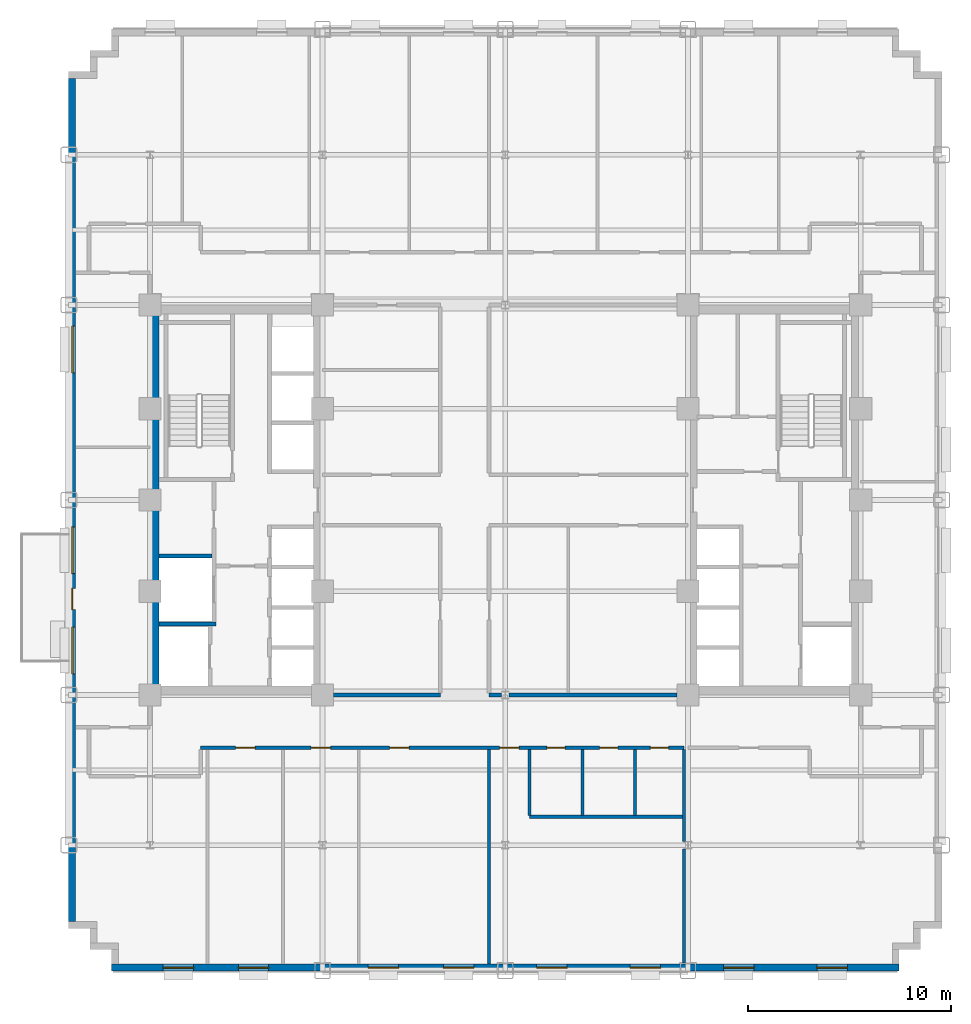
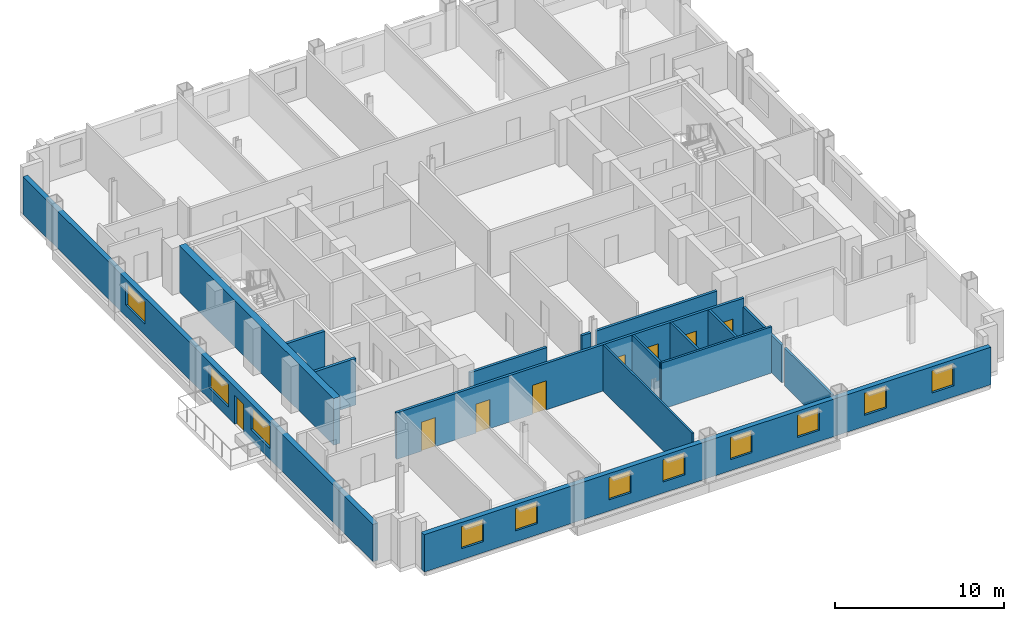
# One storey, part 6 of 14: 16 walls, 11 windows, 8 doors, 19 openings.
"""IFC4 building model written with IfcOpenShell, lengths in metres."""

from ifc_helpers import new_model, si_unit, direction, frame, frame_2d, origin, place, context, subcontext, project, spatial, rectangle, extrude, source, transform, mapped, material, layer, layer_set, type_object, type_shapes, element, fill, save


model = new_model("IFC4")

# Units and contexts
model_context = context("Model", 3, precision=1e-05, world=origin(), true_north=direction((0.0, 1.0)))
body_context = subcontext(model_context, "Body", "Model", "MODEL_VIEW")
ifc_project = project(units=[si_unit("LENGTHUNIT", "METRE"), si_unit("AREAUNIT", "SQUARE_METRE"), si_unit("VOLUMEUNIT", "CUBIC_METRE"), si_unit("PLANEANGLEUNIT", "RADIAN"), si_unit("MASSUNIT", "GRAM", prefix="KILO")], contexts=[model_context])

# Site, building, storey
site_placement = place(None, origin())
site = spatial("IfcSite", under=ifc_project, at=site_placement, CompositionType="ELEMENT")
building_placement = place(site_placement, origin())
building = spatial("IfcBuilding", under=site, at=building_placement, Name="Nuvemarco Arch Tower", CompositionType="ELEMENT")
storey_placement = place(building_placement, frame((0.0, 0.0, 64.10009765625)))
storey = spatial("IfcBuildingStorey", under=building, at=storey_placement, Name="L16", CompositionType="ELEMENT", Elevation=64.10009765625)

# Wall, openings, windows
ifc_material_1 = material(Name="Precast concrete C45/55", Category="concrete")
ifc_layer_1 = layer(ifc_material_1, 0.340087890625, Name="EW-LOW-340")
ifc_layer_set_1 = layer_set([ifc_layer_1], Name="Precast concrete C45/55")
wall_type_1 = type_object("IfcWallType", Name="EW-LOW-340", PredefinedType="STANDARD", material=ifc_layer_set_1)
wall_1_placement = place(storey_placement, frame((-19.39990234375, -23.030029296875, 0.0), z_axis=(0.0, 0.0, 1.0), x_axis=(1.0, 0.0, 0.0)))
wall_1 = element("IfcWall", 1, at=wall_1_placement, inside=storey, type_object=wall_type_1, Name="L16 exterior precast facade wall 1", PredefinedType="STANDARD", context=body_context, shape_type="SweptSolid", body=[
    extrude(rectangle(XDim=38.7998046875, YDim=0.340087890625, at=frame_2d((19.39990234375, 0.0))), origin(), (0.0, 0.0, 1.0), 2.704833984375),
])
opening_1_placement = place(wall_1_placement, frame((2.550048828125, 0.0, 0.800048828125)))
opening_1 = element("IfcOpeningElement", 2, at=opening_1_placement, cuts=wall_1, Name="Opening WN-11", PredefinedType="OPENING", context=body_context, shape_type="SweptSolid", body=[
    extrude(rectangle(XDim=1.5, YDim=1.60009765625, at=frame_2d((0.75, 0.800048828125))), frame((0.0, 0.179931640625, 0.0), z_axis=(0.0, -1.0, 0.0), x_axis=(1.0, 0.0, 0.0)), (0.0, 0.0, 1.0), 0.360107421875),
])
opening_2_placement = place(wall_1_placement, frame((6.25, 0.0, 0.800048828125)))
opening_2 = element("IfcOpeningElement", 3, at=opening_2_placement, cuts=wall_1, Name="Opening WN-11", PredefinedType="OPENING", context=body_context, shape_type="SweptSolid", body=[
    extrude(rectangle(XDim=1.5, YDim=1.60009765625, at=frame_2d((0.75, 0.800048828125))), frame((0.0, 0.179931640625, 0.0), z_axis=(0.0, -1.0, 0.0), x_axis=(1.0, 0.0, 0.0)), (0.0, 0.0, 1.0), 0.360107421875),
])
opening_3_placement = place(wall_1_placement, frame((12.64990234375, 0.0, 0.800048828125)))
opening_3 = element("IfcOpeningElement", 4, at=opening_3_placement, cuts=wall_1, Name="Opening WN-11", PredefinedType="OPENING", context=body_context, shape_type="SweptSolid", body=[
    extrude(rectangle(XDim=1.5, YDim=1.60009765625, at=frame_2d((0.75, 0.800048828125))), frame((0.0, 0.179931640625, 0.0), z_axis=(0.0, -1.0, 0.0), x_axis=(1.0, 0.0, 0.0)), (0.0, 0.0, 1.0), 0.360107421875),
])
opening_4_placement = place(wall_1_placement, frame((16.35009765625, 0.0, 0.800048828125)))
opening_4 = element("IfcOpeningElement", 5, at=opening_4_placement, cuts=wall_1, Name="Opening WN-11", PredefinedType="OPENING", context=body_context, shape_type="SweptSolid", body=[
    extrude(rectangle(XDim=1.5, YDim=1.60009765625, at=frame_2d((0.75, 0.800048828125))), frame((0.0, 0.179931640625, 0.0), z_axis=(0.0, -1.0, 0.0), x_axis=(1.0, 0.0, 0.0)), (0.0, 0.0, 1.0), 0.360107421875),
])
opening_5_placement = place(wall_1_placement, frame((20.949951171875, 0.0, 0.800048828125)))
opening_5 = element("IfcOpeningElement", 6, at=opening_5_placement, cuts=wall_1, Name="Opening WN-11", PredefinedType="OPENING", context=body_context, shape_type="SweptSolid", body=[
    extrude(rectangle(XDim=1.5, YDim=1.60009765625, at=frame_2d((0.75, 0.800048828125))), frame((0.0, 0.179931640625, 0.0), z_axis=(0.0, -1.0, 0.0), x_axis=(1.0, 0.0, 0.0)), (0.0, 0.0, 1.0), 0.360107421875),
])
opening_6_placement = place(wall_1_placement, frame((25.550048828125, 0.0, 0.800048828125)))
opening_6 = element("IfcOpeningElement", 7, at=opening_6_placement, cuts=wall_1, Name="Opening WN-11", PredefinedType="OPENING", context=body_context, shape_type="SweptSolid", body=[
    extrude(rectangle(XDim=1.5, YDim=1.60009765625, at=frame_2d((0.75, 0.800048828125))), frame((0.0, 0.179931640625, 0.0), z_axis=(0.0, -1.0, 0.0), x_axis=(1.0, 0.0, 0.0)), (0.0, 0.0, 1.0), 0.360107421875),
])
opening_7_placement = place(wall_1_placement, frame((30.14990234375, 0.0, 0.800048828125)))
opening_7 = element("IfcOpeningElement", 8, at=opening_7_placement, cuts=wall_1, Name="Opening WN-11", PredefinedType="OPENING", context=body_context, shape_type="SweptSolid", body=[
    extrude(rectangle(XDim=1.5, YDim=1.60009765625, at=frame_2d((0.75, 0.800048828125))), frame((0.0, 0.179931640625, 0.0), z_axis=(0.0, -1.0, 0.0), x_axis=(1.0, 0.0, 0.0)), (0.0, 0.0, 1.0), 0.360107421875),
])
opening_8_placement = place(wall_1_placement, frame((34.75, 0.0, 0.800048828125)))
opening_8 = element("IfcOpeningElement", 9, at=opening_8_placement, cuts=wall_1, Name="Opening WN-11", PredefinedType="OPENING", context=body_context, shape_type="SweptSolid", body=[
    extrude(rectangle(XDim=1.5, YDim=1.60009765625, at=frame_2d((0.75, 0.800048828125))), frame((0.0, 0.179931640625, 0.0), z_axis=(0.0, -1.0, 0.0), x_axis=(1.0, 0.0, 0.0)), (0.0, 0.0, 1.0), 0.360107421875),
])
ifc_material_2 = material(Name="Insulated solar-control glass", Category="glass")
window_type_1 = type_object("IfcWindowType", Name="WN-STEP-1500x1850", PartitioningType="SINGLE_PANEL", PredefinedType="WINDOW", material=ifc_material_2)
shared_shape_1 = source(origin(), body_context, "Body", "SweptSolid", [
    extrude(rectangle(XDim=1.5, YDim=1.60009765625, at=frame_2d((0.75, 0.800048828125))), frame((0.0, 0.030029296875, 0.0), z_axis=(0.0, -1.0, 0.0), x_axis=(1.0, 0.0, 0.0)), (0.0, 0.0, 1.0), 0.06005859375),
])
type_shapes(window_type_1, [shared_shape_1])
window_1_placement = place(opening_1_placement, origin())
window_1 = element("IfcWindow", 10, at=window_1_placement, inside=storey, type_object=window_type_1, Name="L16 punched facade window 1", OverallHeight=1.60009765625, OverallWidth=1.5, PartitioningType="SINGLE_PANEL", PredefinedType="WINDOW", context=body_context, shape_type="MappedRepresentation", body=[
    mapped(shared_shape_1, transform((0.0, 0.0, 0.0), scale=1.0)),
])
fill(opening_1, window_1)
window_2_placement = place(opening_2_placement, origin())
window_2 = element("IfcWindow", 11, at=window_2_placement, inside=storey, type_object=window_type_1, Name="L16 punched facade window 2", OverallHeight=1.60009765625, OverallWidth=1.5, PartitioningType="SINGLE_PANEL", PredefinedType="WINDOW", context=body_context, shape_type="MappedRepresentation", body=[
    mapped(shared_shape_1, transform((0.0, 0.0, 0.0), scale=1.0)),
])
fill(opening_2, window_2)
window_3_placement = place(opening_3_placement, origin())
window_3 = element("IfcWindow", 12, at=window_3_placement, inside=storey, type_object=window_type_1, Name="L16 punched facade window 3", OverallHeight=1.60009765625, OverallWidth=1.5, PartitioningType="SINGLE_PANEL", PredefinedType="WINDOW", context=body_context, shape_type="MappedRepresentation", body=[
    mapped(shared_shape_1, transform((0.0, 0.0, 0.0), scale=1.0)),
])
fill(opening_3, window_3)
window_4_placement = place(opening_4_placement, origin())
window_4 = element("IfcWindow", 13, at=window_4_placement, inside=storey, type_object=window_type_1, Name="L16 punched facade window 4", OverallHeight=1.60009765625, OverallWidth=1.5, PartitioningType="SINGLE_PANEL", PredefinedType="WINDOW", context=body_context, shape_type="MappedRepresentation", body=[
    mapped(shared_shape_1, transform((0.0, 0.0, 0.0), scale=1.0)),
])
fill(opening_4, window_4)
window_5_placement = place(opening_5_placement, origin())
window_5 = element("IfcWindow", 14, at=window_5_placement, inside=storey, type_object=window_type_1, Name="L16 punched facade window 5", OverallHeight=1.60009765625, OverallWidth=1.5, PartitioningType="SINGLE_PANEL", PredefinedType="WINDOW", context=body_context, shape_type="MappedRepresentation", body=[
    mapped(shared_shape_1, transform((0.0, 0.0, 0.0), scale=1.0)),
])
fill(opening_5, window_5)
window_6_placement = place(opening_6_placement, origin())
window_6 = element("IfcWindow", 15, at=window_6_placement, inside=storey, type_object=window_type_1, Name="L16 punched facade window 6", OverallHeight=1.60009765625, OverallWidth=1.5, PartitioningType="SINGLE_PANEL", PredefinedType="WINDOW", context=body_context, shape_type="MappedRepresentation", body=[
    mapped(shared_shape_1, transform((0.0, 0.0, 0.0), scale=1.0)),
])
fill(opening_6, window_6)
window_7_placement = place(opening_7_placement, origin())
window_7 = element("IfcWindow", 16, at=window_7_placement, inside=storey, type_object=window_type_1, Name="L16 punched facade window 7", OverallHeight=1.60009765625, OverallWidth=1.5, PartitioningType="SINGLE_PANEL", PredefinedType="WINDOW", context=body_context, shape_type="MappedRepresentation", body=[
    mapped(shared_shape_1, transform((0.0, 0.0, 0.0), scale=1.0)),
])
fill(opening_7, window_7)
window_8_placement = place(opening_8_placement, origin())
window_8 = element("IfcWindow", 17, at=window_8_placement, inside=storey, type_object=window_type_1, Name="L16 punched facade window 8", OverallHeight=1.60009765625, OverallWidth=1.5, PartitioningType="SINGLE_PANEL", PredefinedType="WINDOW", context=body_context, shape_type="MappedRepresentation", body=[
    mapped(shared_shape_1, transform((0.0, 0.0, 0.0), scale=1.0)),
])
fill(opening_8, window_8)

# Wall, openings, door, windows
wall_2_placement = place(storey_placement, frame((-21.330078125, -20.763916015625, 0.0), z_axis=(0.0, 0.0, 1.0), x_axis=(0.0, 1.0, 0.0)))
wall_2 = element("IfcWall", 18, at=wall_2_placement, inside=storey, type_object=wall_type_1, Name="L16 exterior precast facade wall 16", PredefinedType="STANDARD", context=body_context, shape_type="SweptSolid", body=[
    extrude(rectangle(XDim=41.52783203125, YDim=0.340087890625, at=frame_2d((20.763916015625, 0.0))), origin(), (0.0, 0.0, 1.0), 2.704833984375),
])
opening_9_placement = place(wall_2_placement, frame((15.364013671875, 0.0, 0.0)))
opening_9 = element("IfcOpeningElement", 19, at=opening_9_placement, cuts=wall_2, Name="Opening ED-5", PredefinedType="OPENING", context=body_context, shape_type="SweptSolid", body=[
    extrude(rectangle(XDim=1.050048828125, YDim=2.10009765625, at=frame_2d((0.52490234375, 1.050048828125))), frame((0.0, 0.179931640625, 0.0), z_axis=(0.0, -1.0, 0.0), x_axis=(1.0, 0.0, 0.0)), (0.0, 0.0, 1.0), 0.360107421875),
])
opening_10_placement = place(wall_2_placement, frame((12.202392578125, 0.0, 0.800048828125)))
opening_10 = element("IfcOpeningElement", 20, at=opening_10_placement, cuts=wall_2, Name="Opening WN-10", PredefinedType="OPENING", context=body_context, shape_type="SweptSolid", body=[
    extrude(rectangle(XDim=2.300048828125, YDim=1.6201171875, at=frame_2d((1.14990234375, 0.81005859375))), frame((0.0, 0.179931640625, 0.0), z_axis=(0.0, -1.0, 0.0), x_axis=(1.0, 0.0, 0.0)), (0.0, 0.0, 1.0), 0.360107421875),
])
opening_11_placement = place(wall_2_placement, frame((17.1435546875, 0.0, 0.800048828125)))
opening_11 = element("IfcOpeningElement", 21, at=opening_11_placement, cuts=wall_2, Name="Opening WN-10", PredefinedType="OPENING", context=body_context, shape_type="SweptSolid", body=[
    extrude(rectangle(XDim=2.300048828125, YDim=1.6201171875, at=frame_2d((1.14990234375, 0.81005859375))), frame((0.0, 0.179931640625, 0.0), z_axis=(0.0, -1.0, 0.0), x_axis=(1.0, 0.0, 0.0)), (0.0, 0.0, 1.0), 0.360107421875),
])
opening_12_placement = place(wall_2_placement, frame((27.025390625, 0.0, 0.800048828125)))
opening_12 = element("IfcOpeningElement", 22, at=opening_12_placement, cuts=wall_2, Name="Opening WN-10", PredefinedType="OPENING", context=body_context, shape_type="SweptSolid", body=[
    extrude(rectangle(XDim=2.300048828125, YDim=1.6201171875, at=frame_2d((1.14990234375, 0.81005859375))), frame((0.0, 0.179931640625, 0.0), z_axis=(0.0, -1.0, 0.0), x_axis=(1.0, 0.0, 0.0)), (0.0, 0.0, 1.0), 0.360107421875),
])
ifc_material_3 = material(Name="Anodised bronze and laminated glass", Category="glass")
door_type_1 = type_object("IfcDoorType", Name="DR-EXT-TERR", OperationType="NOTDEFINED", PredefinedType="DOOR", material=ifc_material_3)
shared_shape_2 = source(origin(), body_context, "Body", "SweptSolid", [
    extrude(rectangle(XDim=1.050048828125, YDim=2.10009765625, at=frame_2d((0.52490234375, 1.050048828125))), frame((0.0, 0.02490234375, 0.0), z_axis=(0.0, -1.0, 0.0), x_axis=(1.0, 0.0, 0.0)), (0.0, 0.0, 1.0), 0.050048828125),
])
type_shapes(door_type_1, [shared_shape_2])
door_1_placement = place(opening_9_placement, origin())
door_1 = element("IfcDoor", 23, at=door_1_placement, inside=storey, type_object=door_type_1, Name="L16 spiral terrace access door", OperationType="SINGLE_SWING_LEFT", OverallHeight=2.10009765625, OverallWidth=1.050048828125, PredefinedType="DOOR", context=body_context, shape_type="MappedRepresentation", body=[
    mapped(shared_shape_2, transform((0.0, 0.0, 0.0), scale=1.0)),
])
fill(opening_9, door_1)
window_type_2 = type_object("IfcWindowType", Name="WN-STEP-2300x1700", PartitioningType="DOUBLE_PANEL_VERTICAL", PredefinedType="WINDOW", material=ifc_material_2)
shared_shape_3 = source(origin(), body_context, "Body", "SweptSolid", [
    extrude(rectangle(XDim=2.300048828125, YDim=1.6201171875, at=frame_2d((1.14990234375, 0.81005859375))), frame((0.0, 0.030029296875, 0.0), z_axis=(0.0, -1.0, 0.0), x_axis=(1.0, 0.0, 0.0)), (0.0, 0.0, 1.0), 0.06005859375),
])
type_shapes(window_type_2, [shared_shape_3])
window_9_placement = place(opening_10_placement, origin())
window_9 = element("IfcWindow", 24, at=window_9_placement, inside=storey, type_object=window_type_2, Name="L16 punched facade window 3", OverallHeight=1.6201171875, OverallWidth=2.300048828125, PartitioningType="SINGLE_PANEL", PredefinedType="WINDOW", context=body_context, shape_type="MappedRepresentation", body=[
    mapped(shared_shape_3, transform((0.0, 0.0, 0.0), scale=1.0)),
])
fill(opening_10, window_9)
window_10_placement = place(opening_11_placement, origin())
window_10 = element("IfcWindow", 25, at=window_10_placement, inside=storey, type_object=window_type_2, Name="L16 punched facade window 4", OverallHeight=1.6201171875, OverallWidth=2.300048828125, PartitioningType="SINGLE_PANEL", PredefinedType="WINDOW", context=body_context, shape_type="MappedRepresentation", body=[
    mapped(shared_shape_3, transform((0.0, 0.0, 0.0), scale=1.0)),
])
fill(opening_11, window_10)
window_11_placement = place(opening_12_placement, origin())
window_11 = element("IfcWindow", 26, at=window_11_placement, inside=storey, type_object=window_type_2, Name="L16 punched facade window 6", OverallHeight=1.6201171875, OverallWidth=2.300048828125, PartitioningType="SINGLE_PANEL", PredefinedType="WINDOW", context=body_context, shape_type="MappedRepresentation", body=[
    mapped(shared_shape_3, transform((0.0, 0.0, 0.0), scale=1.0)),
])
fill(opening_12, window_11)

# Wall
ifc_material_4 = material(Name="Concrete C60/75", Category="concrete")
ifc_layer_2 = layer(ifc_material_4, 0.449951171875, Name="WL-CORE-450")
ifc_layer_set_2 = layer_set([ifc_layer_2], Name="Concrete C60/75")
wall_type_2 = type_object("IfcWallType", Name="WL-CORE-450", PredefinedType="SHEAR", material=ifc_layer_set_2)
wall_3_placement = place(storey_placement, frame((-17.27490234375, -9.155029296875, 0.0), z_axis=(0.0, 0.0, 1.0), x_axis=(0.0, 1.0, 0.0)))
element("IfcWall", 27, at=wall_3_placement, inside=storey, type_object=wall_type_2, Name="L16 W-core shear wall W", PredefinedType="SHEAR", context=body_context, shape_type="SweptSolid", body=[
    extrude(rectangle(XDim=18.31005859375, YDim=0.449951171875, at=frame_2d((9.155029296875, 0.0))), origin(), (0.0, 0.0, 1.0), 3.369873046875),
])

# Wall, openings, doors
ifc_material_5 = material(Name="Fire-rated gypsum drywall partition")
ifc_layer_3 = layer(ifc_material_5, 0.179931640625, Name="WL-CORR-180")
ifc_layer_set_3 = layer_set([ifc_layer_3], Name="Fire-rated gypsum drywall partition")
wall_type_3 = type_object("IfcWallType", Name="WL-CORR-180", PredefinedType="PARTITIONING", material=ifc_layer_set_3)
wall_4_placement = place(storey_placement, frame((-15.0, -12.199951171875, 0.0), z_axis=(0.0, 0.0, 1.0), x_axis=(1.0, 0.0, 0.0)))
wall_4 = element("IfcWall", 28, at=wall_4_placement, inside=storey, type_object=wall_type_3, Name="L16 interior wall IW-L16-004", PredefinedType="PARTITIONING", context=body_context, shape_type="SweptSolid", body=[
    extrude(rectangle(XDim=23.800048828125, YDim=0.179931640625, at=frame_2d((11.89990234375, 0.0))), origin(), (0.0, 0.0, 1.0), 3.35986328125),
])
opening_13_placement = place(wall_4_placement, frame((9.31005859375, 0.0, 0.0)))
opening_13 = element("IfcOpeningElement", 29, at=opening_13_placement, cuts=wall_4, Name="Opening FD-5", PredefinedType="OPENING", context=body_context, shape_type="SweptSolid", body=[
    extrude(rectangle(XDim=0.9599609375, YDim=2.10009765625, at=frame_2d((0.47998046875, 1.050048828125))), frame((0.0, 0.099853515625, 0.0), z_axis=(0.0, -1.0, 0.0), x_axis=(1.0, 0.0, 0.0)), (0.0, 0.0, 1.0), 0.199951171875),
])
opening_14_placement = place(wall_4_placement, frame((1.715087890625, 0.0, 0.0)))
opening_14 = element("IfcOpeningElement", 30, at=opening_14_placement, cuts=wall_4, Name="Opening FD-5", PredefinedType="OPENING", context=body_context, shape_type="SweptSolid", body=[
    extrude(rectangle(XDim=0.9599609375, YDim=2.10009765625, at=frame_2d((0.47998046875, 1.050048828125))), frame((0.0, 0.099853515625, 0.0), z_axis=(0.0, -1.0, 0.0), x_axis=(1.0, 0.0, 0.0)), (0.0, 0.0, 1.0), 0.199951171875),
])
opening_15_placement = place(wall_4_placement, frame((5.43994140625, 0.0, 0.0)))
opening_15 = element("IfcOpeningElement", 31, at=opening_15_placement, cuts=wall_4, Name="Opening FD-5", PredefinedType="OPENING", context=body_context, shape_type="SweptSolid", body=[
    extrude(rectangle(XDim=0.9599609375, YDim=2.10009765625, at=frame_2d((0.47998046875, 1.050048828125))), frame((0.0, 0.099853515625, 0.0), z_axis=(0.0, -1.0, 0.0), x_axis=(1.0, 0.0, 0.0)), (0.0, 0.0, 1.0), 0.199951171875),
])
opening_16_placement = place(wall_4_placement, frame((19.64990234375, 0.0, 0.0)))
opening_16 = element("IfcOpeningElement", 32, at=opening_16_placement, cuts=wall_4, Name="Opening ID-3", PredefinedType="OPENING", context=body_context, shape_type="SweptSolid", body=[
    extrude(rectangle(XDim=0.89990234375, YDim=2.10009765625, at=frame_2d((0.449951171875, 1.050048828125))), frame((0.0, 0.099853515625, 0.0), z_axis=(0.0, -1.0, 0.0), x_axis=(1.0, 0.0, 0.0)), (0.0, 0.0, 1.0), 0.199951171875),
])
opening_17_placement = place(wall_4_placement, frame((17.050048828125, 0.0, 0.0)))
opening_17 = element("IfcOpeningElement", 33, at=opening_17_placement, cuts=wall_4, Name="Opening ID-3", PredefinedType="OPENING", context=body_context, shape_type="SweptSolid", body=[
    extrude(rectangle(XDim=0.89990234375, YDim=2.10009765625, at=frame_2d((0.449951171875, 1.050048828125))), frame((0.0, 0.099853515625, 0.0), z_axis=(0.0, -1.0, 0.0), x_axis=(1.0, 0.0, 0.0)), (0.0, 0.0, 1.0), 0.199951171875),
])
opening_18_placement = place(wall_4_placement, frame((22.14990234375, 0.0, 0.0)))
opening_18 = element("IfcOpeningElement", 34, at=opening_18_placement, cuts=wall_4, Name="Opening ID-3", PredefinedType="OPENING", context=body_context, shape_type="SweptSolid", body=[
    extrude(rectangle(XDim=0.89990234375, YDim=2.10009765625, at=frame_2d((0.449951171875, 1.050048828125))), frame((0.0, 0.099853515625, 0.0), z_axis=(0.0, -1.0, 0.0), x_axis=(1.0, 0.0, 0.0)), (0.0, 0.0, 1.0), 0.199951171875),
])
opening_19_placement = place(wall_4_placement, frame((14.719970703125, 0.0, 0.0)))
opening_19 = element("IfcOpeningElement", 35, at=opening_19_placement, cuts=wall_4, Name="Opening FD-5", PredefinedType="OPENING", context=body_context, shape_type="SweptSolid", body=[
    extrude(rectangle(XDim=0.9599609375, YDim=2.10009765625, at=frame_2d((0.47998046875, 1.050048828125))), frame((0.0, 0.099853515625, 0.0), z_axis=(0.0, -1.0, 0.0), x_axis=(1.0, 0.0, 0.0)), (0.0, 0.0, 1.0), 0.199951171875),
])
ifc_material_6 = material(Name="Timber fire door", Category="wood")
door_type_2 = type_object("IfcDoorType", Name="DR-CORR-FD", OperationType="NOTDEFINED", PredefinedType="DOOR", material=ifc_material_6)
shared_shape_4 = source(origin(), body_context, "Body", "SweptSolid", [
    extrude(rectangle(XDim=0.9599609375, YDim=2.10009765625, at=frame_2d((0.47998046875, 1.050048828125))), frame((0.0, 0.02490234375, 0.0), z_axis=(0.0, -1.0, 0.0), x_axis=(1.0, 0.0, 0.0)), (0.0, 0.0, 1.0), 0.050048828125),
])
type_shapes(door_type_2, [shared_shape_4])
door_2_placement = place(opening_13_placement, origin())
door_2 = element("IfcDoor", 36, at=door_2_placement, inside=storey, type_object=door_type_2, Name="L16 door DR-L16-S_4", OperationType="SINGLE_SWING_RIGHT", OverallHeight=2.10009765625, OverallWidth=0.9599609375, PredefinedType="DOOR", context=body_context, shape_type="MappedRepresentation", body=[
    mapped(shared_shape_4, transform((0.0, 0.0, 0.0), scale=1.0)),
])
fill(opening_13, door_2)
door_3_placement = place(opening_14_placement, origin())
door_3 = element("IfcDoor", 37, at=door_3_placement, inside=storey, type_object=door_type_2, Name="L16 door DR-L16-S_2", OperationType="SINGLE_SWING_RIGHT", OverallHeight=2.10009765625, OverallWidth=0.9599609375, PredefinedType="DOOR", context=body_context, shape_type="MappedRepresentation", body=[
    mapped(shared_shape_4, transform((0.0, 0.0, 0.0), scale=1.0)),
])
fill(opening_14, door_3)
door_4_placement = place(opening_15_placement, origin())
door_4 = element("IfcDoor", 38, at=door_4_placement, inside=storey, type_object=door_type_2, Name="L16 door DR-L16-S_3", OperationType="SINGLE_SWING_LEFT", OverallHeight=2.10009765625, OverallWidth=0.9599609375, PredefinedType="DOOR", context=body_context, shape_type="MappedRepresentation", body=[
    mapped(shared_shape_4, transform((0.0, 0.0, 0.0), scale=1.0)),
])
fill(opening_15, door_4)
door_5_placement = place(opening_19_placement, origin())
door_5 = element("IfcDoor", 39, at=door_5_placement, inside=storey, type_object=door_type_2, Name="L16 door DR-L16-S_5", OperationType="SINGLE_SWING_RIGHT", OverallHeight=2.10009765625, OverallWidth=0.9599609375, PredefinedType="DOOR", context=body_context, shape_type="MappedRepresentation", body=[
    mapped(shared_shape_4, transform((0.0, 0.0, 0.0), scale=1.0)),
])
fill(opening_19, door_5)
ifc_material_7 = material(Name="Veneered oak timber fire door", Category="wood")
door_type_3 = type_object("IfcDoorType", Name="DR-WC-ACC", OperationType="NOTDEFINED", PredefinedType="DOOR", material=ifc_material_7)
shared_shape_5 = source(origin(), body_context, "Body", "SweptSolid", [
    extrude(rectangle(XDim=0.89990234375, YDim=2.10009765625, at=frame_2d((0.449951171875, 1.050048828125))), frame((0.0, 0.02490234375, 0.0), z_axis=(0.0, -1.0, 0.0), x_axis=(1.0, 0.0, 0.0)), (0.0, 0.0, 1.0), 0.050048828125),
])
type_shapes(door_type_3, [shared_shape_5])
door_6_placement = place(opening_16_placement, origin())
door_6 = element("IfcDoor", 40, at=door_6_placement, inside=storey, type_object=door_type_3, Name="L16 door DR-L16-WC_F", OperationType="SINGLE_SWING_RIGHT", OverallHeight=2.10009765625, OverallWidth=0.89990234375, PredefinedType="DOOR", context=body_context, shape_type="MappedRepresentation", body=[
    mapped(shared_shape_5, transform((0.0, 0.0, 0.0), scale=1.0)),
])
fill(opening_16, door_6)
door_7_placement = place(opening_17_placement, origin())
door_7 = element("IfcDoor", 41, at=door_7_placement, inside=storey, type_object=door_type_3, Name="L16 door DR-L16-WC_M", OperationType="SINGLE_SWING_LEFT", OverallHeight=2.10009765625, OverallWidth=0.89990234375, PredefinedType="DOOR", context=body_context, shape_type="MappedRepresentation", body=[
    mapped(shared_shape_5, transform((0.0, 0.0, 0.0), scale=1.0)),
])
fill(opening_17, door_7)
door_8_placement = place(opening_18_placement, origin())
door_8 = element("IfcDoor", 42, at=door_8_placement, inside=storey, type_object=door_type_3, Name="L16 door DR-L16-WC_ACC", OperationType="SINGLE_SWING_RIGHT", OverallHeight=2.10009765625, OverallWidth=0.89990234375, PredefinedType="DOOR", context=body_context, shape_type="MappedRepresentation", body=[
    mapped(shared_shape_5, transform((0.0, 0.0, 0.0), scale=1.0)),
])
fill(opening_18, door_8)

# Walls
wall_5_placement = place(storey_placement, frame((-8.4541015625, -9.60009765625, 0.0), z_axis=(0.0, 0.0, 1.0), x_axis=(1.0, 0.0, 0.0)))
element("IfcWall", 43, at=wall_5_placement, inside=storey, type_object=wall_type_3, Name="L16 interior wall IW-L16-008", PredefinedType="PARTITIONING", context=body_context, shape_type="SweptSolid", body=[
    extrude(rectangle(XDim=5.254150390625, YDim=0.179931640625, at=frame_2d((2.626953125, 0.0))), origin(), (0.0, 0.0, 1.0), 2.40478515625),
])
wall_6_placement = place(storey_placement, frame((-0.800048828125, -9.60009765625, 0.0), z_axis=(0.0, 0.0, 1.0), x_axis=(1.0, 0.0, 0.0)))
element("IfcWall", 44, at=wall_6_placement, inside=storey, type_object=wall_type_3, Name="L16 interior wall IW-L16-009", PredefinedType="PARTITIONING", context=body_context, shape_type="SweptSolid", body=[
    extrude(rectangle(XDim=0.6240234375, YDim=0.179931640625, at=frame_2d((0.31201171875, 0.0))), origin(), (0.0, 0.0, 1.0), 2.40478515625),
])
wall_7_placement = place(storey_placement, frame((0.176025390625, -9.60009765625, 0.0), z_axis=(0.0, 0.0, 1.0), x_axis=(1.0, 0.0, 0.0)))
element("IfcWall", 45, at=wall_7_placement, inside=storey, type_object=wall_type_3, Name="L16 interior wall IW-L16-010", PredefinedType="PARTITIONING", context=body_context, shape_type="SweptSolid", body=[
    extrude(rectangle(XDim=8.278076171875, YDim=0.179931640625, at=frame_2d((4.13916015625, 0.0))), origin(), (0.0, 0.0, 1.0), 2.40478515625),
])
ifc_material_8 = material(Name="Glazed acoustic office partition")
ifc_layer_4 = layer(ifc_material_8, 0.1298828125, Name="WL-EXEC-130")
ifc_layer_set_4 = layer_set([ifc_layer_4], Name="Glazed acoustic office partition")
wall_type_4 = type_object("IfcWallType", Name="WL-EXEC-130", PredefinedType="PARTITIONING", material=ifc_layer_set_4)
wall_8_placement = place(storey_placement, frame((-0.800048828125, -22.860107421875, 0.0), z_axis=(0.0, 0.0, 1.0), x_axis=(0.0, 1.0, 0.0)))
element("IfcWall", 46, at=wall_8_placement, inside=storey, type_object=wall_type_4, Name="L16 interior wall IW-L16-040", PredefinedType="PARTITIONING", context=body_context, shape_type="SweptSolid", body=[
    extrude(rectangle(XDim=10.57421875, YDim=0.1298828125, at=frame_2d((5.287109375, 0.0))), origin(), (0.0, 0.0, 1.0), 3.35986328125),
])
ifc_material_9 = material(Name="Concrete C50/60", Category="concrete")
ifc_layer_5 = layer(ifc_material_9, 0.199951171875, Name="WL-SHAFT-220")
ifc_layer_set_5 = layer_set([ifc_layer_5], Name="Concrete C50/60")
wall_type_5 = type_object("IfcWallType", Name="WL-SHAFT-220", PredefinedType="SHEAR", material=ifc_layer_set_5)
wall_9_placement = place(storey_placement, frame((-17.054931640625, -6.10009765625, 0.0), z_axis=(0.0, 0.0, 1.0), x_axis=(1.0, 0.0, 0.0)))
element("IfcWall", 47, at=wall_9_placement, inside=storey, type_object=wall_type_5, Name="L16 structural shaft wall SW-L16-W-SH1", PredefinedType="SHEAR", context=body_context, shape_type="SweptSolid", body=[
    extrude(rectangle(XDim=2.804931640625, YDim=0.199951171875, at=frame_2d((1.40234375, 0.0))), origin(), (0.0, 0.0, 1.0), 3.369873046875),
])
wall_10_placement = place(storey_placement, frame((-17.054931640625, -2.75, 0.0), z_axis=(0.0, 0.0, 1.0), x_axis=(1.0, 0.0, 0.0)))
element("IfcWall", 48, at=wall_10_placement, inside=storey, type_object=wall_type_5, Name="L16 structural shaft wall SW-L16-W-SH2", PredefinedType="SHEAR", context=body_context, shape_type="SweptSolid", body=[
    extrude(rectangle(XDim=2.60986328125, YDim=0.199951171875, at=frame_2d((1.304931640625, 0.0))), origin(), (0.0, 0.0, 1.0), 3.369873046875),
])
ifc_material_10 = material(Name="Moisture-resistant gypsum partition")
ifc_layer_6 = layer(ifc_material_10, 0.14990234375, Name="WL-WET-150")
ifc_layer_set_6 = layer_set([ifc_layer_6], Name="Moisture-resistant gypsum partition")
wall_type_6 = type_object("IfcWallType", Name="WL-WET-150", PredefinedType="PARTITIONING", material=ifc_layer_set_6)
wall_11_placement = place(storey_placement, frame((1.199951171875, -15.60009765625, 0.0), z_axis=(0.0, 0.0, 1.0), x_axis=(1.0, 0.0, 0.0)))
element("IfcWall", 49, at=wall_11_placement, inside=storey, type_object=wall_type_6, Name="L16 interior wall IW-L16-001", PredefinedType="PARTITIONING", context=body_context, shape_type="SweptSolid", body=[
    extrude(rectangle(XDim=7.5390625, YDim=0.14990234375, at=frame_2d((3.76953125, 0.0))), origin(), (0.0, 0.0, 1.0), 3.35986328125),
])
for number, where, z_axis, x_axis, name in (
    (50, (1.199951171875, -15.529052734375, 0.0), (0.0, 0.0, 1.0), (0.0, 1.0, 0.0), "L16 interior wall IW-L16-044"),
    (51, (3.800048828125, -15.529052734375, 0.0), (0.0, 0.0, 1.0), (0.0, 1.0, 0.0), "L16 interior wall IW-L16-046"),
    (52, (6.39990234375, -15.529052734375, 0.0), (0.0, 0.0, 1.0), (0.0, 1.0, 0.0), "L16 interior wall IW-L16-048"),
):
    element("IfcWall", number, at=place(storey_placement, frame(where, z_axis=z_axis, x_axis=x_axis)), inside=storey, type_object=wall_type_6, Name=name, PredefinedType="PARTITIONING", context=body_context, shape_type="SweptSolid", body=[
        extrude(rectangle(XDim=3.2431640625, YDim=0.14990234375, at=frame_2d((1.62158203125, 0.0))), origin(), (0.0, 0.0, 1.0), 3.35986328125),
    ])
wall_12_placement = place(storey_placement, frame((8.800048828125, -22.803955078125, 0.0), z_axis=(0.0, 0.0, 1.0), x_axis=(0.0, 1.0, 0.0)))
element("IfcWall", 53, at=wall_12_placement, inside=storey, type_object=wall_type_6, Name="L16 interior wall IW-L16-049", PredefinedType="PARTITIONING", context=body_context, shape_type="SweptSolid", body=[
    extrude(rectangle(XDim=5.6279296875, YDim=0.14990234375, at=frame_2d((2.81396484375, 0.0))), origin(), (0.0, 0.0, 1.0), 2.73779296875),
])
wall_13_placement = place(storey_placement, frame((8.800048828125, -16.823974609375, 0.0), z_axis=(0.0, 0.0, 1.0), x_axis=(0.0, 1.0, 0.0)))
element("IfcWall", 54, at=wall_13_placement, inside=storey, type_object=wall_type_6, Name="L16 interior wall IW-L16-050", PredefinedType="PARTITIONING", context=body_context, shape_type="SweptSolid", body=[
    extrude(rectangle(XDim=4.5380859375, YDim=0.14990234375, at=frame_2d((2.26904296875, 0.0))), origin(), (0.0, 0.0, 1.0), 2.73779296875),
])

save(model, "model.ifc")
